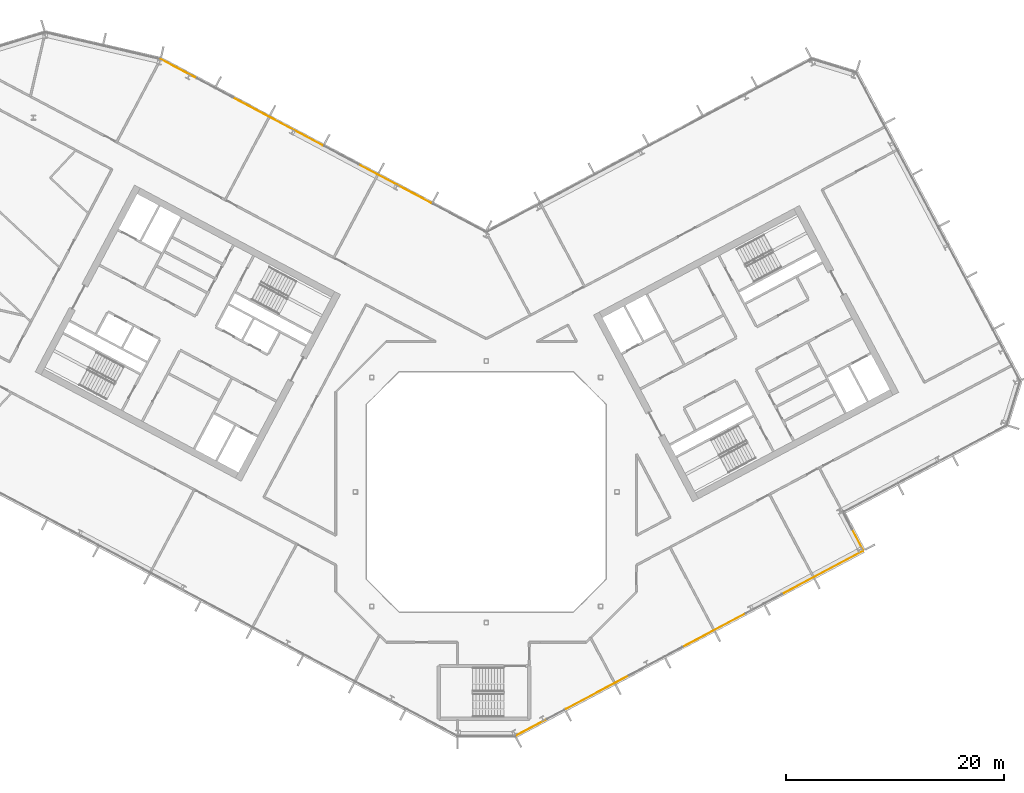
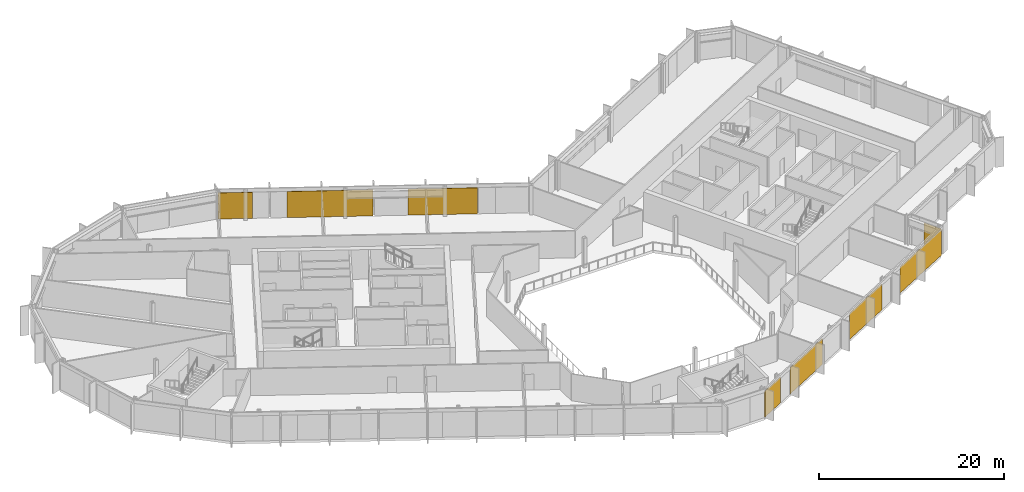
# One storey, part 24 of 27: 8 coverings, 3 elements without a shape of their own.
"""IFC4 building model written with IfcOpenShell, lengths in metres."""

from ifc_helpers import new_model, si_unit, direction, frame, origin, origin_2d, place, context, subcontext, project, spatial, rectangle, extrude, material, layer, layer_set, type_object, element, aggregate, save


model = new_model("IFC4")

# Units and contexts
model_context = context("Model", 3, precision=1e-05, world=origin(), true_north=direction((0.0, 1.0)))
body_context = subcontext(model_context, "Body", "Model", "MODEL_VIEW")
ifc_project = project(units=[si_unit("LENGTHUNIT", "METRE"), si_unit("AREAUNIT", "SQUARE_METRE"), si_unit("VOLUMEUNIT", "CUBIC_METRE"), si_unit("PLANEANGLEUNIT", "RADIAN"), si_unit("MASSUNIT", "GRAM", prefix="KILO")], contexts=[model_context])

# Site, building, storey
site_placement = place(None, origin())
site = spatial("IfcSite", under=ifc_project, at=site_placement, CompositionType="ELEMENT")
building_placement = place(site_placement, origin())
building = spatial("IfcBuilding", under=site, at=building_placement, Name="Cormorant Relay Tower", CompositionType="ELEMENT")
storey_placement = place(building_placement, frame((0.0, 0.0, 209.10009765625)))
storey = spatial("IfcBuildingStorey", under=building, at=storey_placement, Name="L45", CompositionType="ELEMENT", Elevation=209.10009765625)

# Curtain wall, coverings
ifc_material_1 = material(Name="Aluminium 6063-T6 anodised bronze", Category="aluminium")
ifc_layer_1 = layer(ifc_material_1, 0.199951171875)
ifc_layer_set_1 = layer_set([ifc_layer_1], Name="CW1 unitised bronze curtain wall with vertical fins")
curtain_wall_type = type_object("IfcCurtainWallType", Name="CW1 unitised bronze curtain wall with vertical fins", PredefinedType="NOTDEFINED", material=ifc_layer_set_1)
curtain_wall_1_placement = place(storey_placement, origin())
curtain_wall_1 = element("IfcCurtainWall", 1, at=curtain_wall_1_placement, inside=storey, type_object=curtain_wall_type, Name="CW1 curtain wall 2", PredefinedType="NOTDEFINED")
ifc_material_2 = material(Name="Pale bronze anodised aluminium insulated panel", Category="aluminium")
ifc_layer_2 = layer(ifc_material_2, 0.0400390625)
ifc_layer_set_2 = layer_set([ifc_layer_2], Name="CW1 pale bronze insulated panel 40")
covering_type = type_object("IfcCoveringType", Name="CW1 pale bronze insulated panel 40", PredefinedType="CLADDING", material=ifc_layer_set_2)
covering_1_placement = place(storey_placement, frame((4.14453125, -21.60302734375, 0.0), z_axis=(0.0, 0.0, 1.0), x_axis=(0.882947592859, 0.469471562786, 0.0)))
covering_1 = element("IfcCovering", 2, at=covering_1_placement, type_object=covering_type, Name="CW1 panel S00", PredefinedType="CLADDING", context=body_context, shape_type="SweptSolid", body=[
    extrude(rectangle(XDim=3.216552734375, YDim=0.0400390625, at=origin_2d()), origin(), (0.0, 0.0, 1.0), 3.449951171875),
])
covering_2_placement = place(storey_placement, frame((10.1923828125, -18.38720703125, 0.0), z_axis=(0.0, 0.0, 1.0), x_axis=(0.882947592859, 0.469471562786, 0.0)))
covering_2 = element("IfcCovering", 3, at=covering_2_placement, type_object=covering_type, Name="CW1 panel S02", PredefinedType="CLADDING", context=body_context, shape_type="SweptSolid", body=[
    extrude(rectangle(XDim=6.5830078125, YDim=0.0400390625, at=origin_2d()), origin(), (0.0, 0.0, 1.0), 3.449951171875),
])
covering_3_placement = place(storey_placement, frame((20.905517578125, -12.69091796875, 0.0), z_axis=(0.0, 0.0, 1.0), x_axis=(0.882947592859, 0.469471562786, 0.0)))
covering_3 = element("IfcCovering", 4, at=covering_3_placement, type_object=covering_type, Name="CW1 panel S05", PredefinedType="CLADDING", context=body_context, shape_type="SweptSolid", body=[
    extrude(rectangle(XDim=6.5830078125, YDim=0.0400390625, at=origin_2d()), origin(), (0.0, 0.0, 1.0), 3.449951171875),
])
covering_4_placement = place(storey_placement, frame((30.856689453125, -7.39990234375, 0.0), z_axis=(0.0, 0.0, 1.0), x_axis=(0.882947592859, 0.469471562786, 0.0)))
covering_4 = element("IfcCovering", 5, at=covering_4_placement, type_object=covering_type, Name="CW1 panel S08", PredefinedType="CLADDING", context=body_context, shape_type="SweptSolid", body=[
    extrude(rectangle(XDim=8.4580078125, YDim=0.0400390625, at=origin_2d()), origin(), (0.0, 0.0, 1.0), 3.449951171875),
])
aggregate(curtain_wall_1, [covering_1, covering_2, covering_3, covering_4])

# Curtain wall, covering
curtain_wall_2_placement = place(storey_placement, origin())
curtain_wall_2 = element("IfcCurtainWall", 6, at=curtain_wall_2_placement, inside=storey, type_object=curtain_wall_type, Name="CW1 curtain wall 3", PredefinedType="NOTDEFINED")
covering_5_placement = place(storey_placement, frame((34.065185546875, -4.383056640625, 0.0), z_axis=(0.0, 0.0, 1.0), x_axis=(-0.469471562786, 0.882947592859, 0.0)))
covering_5 = element("IfcCovering", 7, at=covering_5_placement, type_object=covering_type, Name="CW1 panel S00", PredefinedType="CLADDING", context=body_context, shape_type="SweptSolid", body=[
    extrude(rectangle(XDim=2.125, YDim=0.0400390625, at=origin_2d()), origin(), (0.0, 0.0, 1.0), 3.449951171875),
])
aggregate(curtain_wall_2, [covering_5])

# Curtain wall, coverings
curtain_wall_3_placement = place(storey_placement, origin())
curtain_wall_3 = element("IfcCurtainWall", 8, at=curtain_wall_3_placement, inside=storey, type_object=curtain_wall_type, Name="CW1 curtain wall 9", PredefinedType="NOTDEFINED")
covering_6_placement = place(storey_placement, frame((-8.359130859375, 28.251220703125, 0.0), z_axis=(0.0, 0.0, 1.0), x_axis=(-0.882947592859, 0.469471562786, 0.0)))
covering_6 = element("IfcCovering", 9, at=covering_6_placement, type_object=covering_type, Name="CW1 panel S02", PredefinedType="CLADDING", context=body_context, shape_type="SweptSolid", body=[
    extrude(rectangle(XDim=7.528076171875, YDim=0.0400390625, at=origin_2d()), origin(), (0.0, 0.0, 1.0), 3.449951171875),
])
covering_7_placement = place(storey_placement, frame((-19.11181640625, 33.968505859375, 0.0), z_axis=(0.0, 0.0, 1.0), x_axis=(-0.882947592859, 0.469471562786, 0.0)))
covering_7 = element("IfcCovering", 10, at=covering_7_placement, type_object=covering_type, Name="CW1 panel S04", PredefinedType="CLADDING", context=body_context, shape_type="SweptSolid", body=[
    extrude(rectangle(XDim=9.327880859375, YDim=0.0400390625, at=origin_2d()), origin(), (0.0, 0.0, 1.0), 3.449951171875),
])
covering_8_placement = place(storey_placement, frame((-28.20263671875, 38.80224609375, 0.0), z_axis=(0.0, 0.0, 1.0), x_axis=(-0.882947592859, 0.469471562786, 0.0)))
covering_8 = element("IfcCovering", 11, at=covering_8_placement, type_object=covering_type, Name="CW1 panel S07", PredefinedType="CLADDING", context=body_context, shape_type="SweptSolid", body=[
    extrude(rectangle(XDim=3.763916015625, YDim=0.0400390625, at=origin_2d()), origin(), (0.0, 0.0, 1.0), 3.449951171875),
])
aggregate(curtain_wall_3, [covering_6, covering_7, covering_8])

save(model, "model.ifc")
